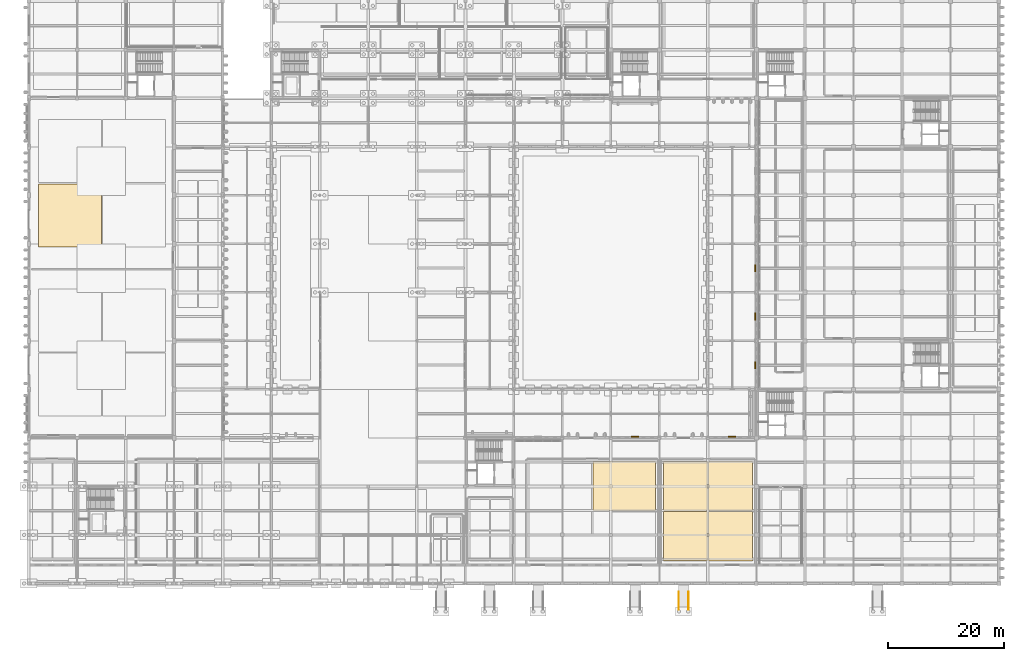
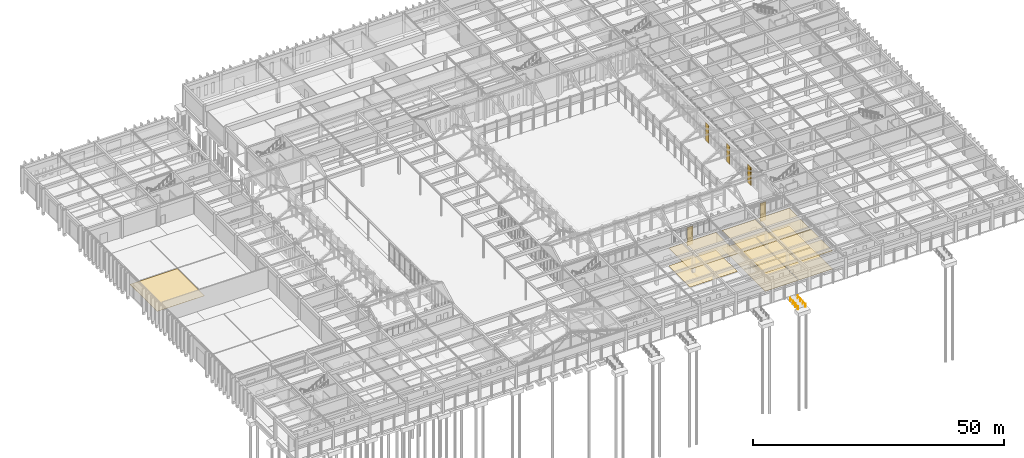
# One storey, part 134 of 143: 11 coverings, 5 shading devices, 2 railings.
"""IFC4 building model written with IfcOpenShell, lengths in metres."""

import ifcopenshell
import ifcopenshell.guid

model = None  # the IFC model being written
_history = None  # IfcOwnerHistory: only IFC2X3 demands one
_inside = {}  # id of a spatial element -> (the spatial element, [elements in it])
_under = {}  # id of a project, library or spatial element -> (it, [spatial elements below it])
_declared = {}  # id of a project -> (the project, [libraries it declares])
_typed = {}  # id of a type object -> (the type object, [elements of that type])
_made_of = {}  # id of a material, layer set ... -> (it, [elements and type objects made of it])


def new_model(schema):
    """Start an empty IFC model of exactly this schema.

    Asked for "IFC4X3", IfcOpenShell would pick the latest addendum, in which some entities
    have other attributes; the version numbers below select the first issue.
    IFC2X3 requires an IfcOwnerHistory on every rooted entity: one is made here for all.
    """
    global model, _history
    if schema == "IFC4X3":
        model = ifcopenshell.file(schema_version=(4, 3, 0, 0))
    else:
        model = ifcopenshell.file(schema=schema)
    _inside.clear()
    _under.clear()
    _declared.clear()
    _typed.clear()
    _made_of.clear()
    _history = None
    if model.schema == "IFC2X3":
        org = make("IfcOrganization", Name="unknown")
        user = make(
            "IfcPersonAndOrganization",
            ThePerson=make("IfcPerson", FamilyName="unknown"),
            TheOrganization=org,
        )
        app = make(
            "IfcApplication",
            ApplicationDeveloper=org,
            Version="unknown",
            ApplicationFullName="unknown",
            ApplicationIdentifier="unknown",
        )
        _history = make(
            "IfcOwnerHistory",
            OwningUser=user,
            OwningApplication=app,
            ChangeAction="ADDED",
            CreationDate=0,
        )
    return model


def make(cls, **values):
    """One entity of the class cls with the attributes given. An attribute that is None is left unset."""
    return model.create_entity(
        cls, **{name: value for name, value in values.items() if value is not None}
    )


def rooted(cls, **values):
    """An entity with a GlobalId (a new one), such as an element, a storey or a relation."""
    return make(cls, GlobalId=ifcopenshell.guid.new(), OwnerHistory=_history, **values)


def si_unit(unit_type, name, prefix=None):
    """IfcSIUnit, for example si_unit("LENGTHUNIT", "METRE", prefix="MILLI")."""
    return make("IfcSIUnit", UnitType=unit_type, Prefix=prefix, Name=name)


def assignment(units):
    """IfcUnitAssignment: the units of a project."""
    return None if units is None else make("IfcUnitAssignment", Units=units)


def point(xyz):
    """IfcCartesianPoint."""
    return None if xyz is None else make("IfcCartesianPoint", Coordinates=xyz)


def direction(xyz):
    """IfcDirection."""
    return None if xyz is None else make("IfcDirection", DirectionRatios=xyz)


def frame(location, z_axis=None, x_axis=None):
    """IfcAxis2Placement3D, a coordinate frame: its origin and axes. An axis left out is left unset."""
    return make(
        "IfcAxis2Placement3D",
        Location=point(location),
        Axis=direction(z_axis),
        RefDirection=direction(x_axis),
    )


def frame_2d(location, x_axis=None):
    """IfcAxis2Placement2D, a coordinate frame in the plane: its origin and x axis."""
    return make(
        "IfcAxis2Placement2D", Location=point(location), RefDirection=direction(x_axis)
    )


def origin():
    """The frame at (0, 0, 0) with its axes left unset."""
    return frame((0.0, 0.0, 0.0))


def origin_2d():
    """The frame at (0, 0) in the plane with its x axis left unset."""
    return frame_2d((0.0, 0.0))


def place(relative_to, where):
    """IfcLocalPlacement: puts the frame where relative to a parent placement (None: the world)."""
    return make(
        "IfcLocalPlacement", PlacementRelTo=relative_to, RelativePlacement=where
    )


def context(
    kind, dimensions, precision=None, world=None, true_north=None, identifier=None
):
    """IfcGeometricRepresentationContext, for example the 3D "Model" context."""
    return make(
        "IfcGeometricRepresentationContext",
        ContextIdentifier=identifier,
        ContextType=kind,
        CoordinateSpaceDimension=dimensions,
        Precision=precision,
        WorldCoordinateSystem=world,
        TrueNorth=true_north,
    )


def subcontext(parent, identifier, kind, view, scale=None):
    """IfcGeometricRepresentationSubContext, for example "Body" below "Model"."""
    return make(
        "IfcGeometricRepresentationSubContext",
        ContextIdentifier=identifier,
        ContextType=kind,
        ParentContext=parent,
        TargetScale=scale,
        TargetView=view,
    )


def project(units=None, contexts=None):
    """IfcProject with its units and contexts."""
    return rooted(
        "IfcProject",
        Name="project",
        RepresentationContexts=contexts,
        UnitsInContext=assignment(units),
    )


def spatial(cls, under=None, at=None, **own):
    """A site, building, storey or space (cls), placed at a placement, below another one or the project."""
    s = rooted(cls, ObjectPlacement=at, **own)
    if under is not None:
        _under.setdefault(under.id(), (under, []))[1].append(s)
    return s


def profile(cls, at=None, kind="AREA", **sizes):
    """A parametric profile (cls). Its sizes go by their IFC names, for example OverallWidth=200.0."""
    return make(cls, ProfileType=kind, Position=at, **sizes)


def rectangle(**sizes):
    """IfcRectangleProfileDef."""
    return profile("IfcRectangleProfileDef", **sizes)


def circle(**sizes):
    """IfcCircleProfileDef."""
    return profile("IfcCircleProfileDef", **sizes)


def extrude(swept, where, along, depth):
    """IfcExtrudedAreaSolid: the profile swept, set in the frame where, extruded along a direction by depth."""
    return make(
        "IfcExtrudedAreaSolid",
        SweptArea=swept,
        Position=where,
        ExtrudedDirection=direction(along),
        Depth=depth,
    )


def shape(context_of_items, identifier, shape_type, items):
    """IfcShapeRepresentation: the items that make up one representation, for example the "Body"."""
    return make(
        "IfcShapeRepresentation",
        ContextOfItems=context_of_items,
        RepresentationIdentifier=identifier,
        RepresentationType=shape_type,
        Items=items,
    )


def material(Name=None, Category=None):
    """IfcMaterial."""
    return make("IfcMaterial", Name=Name, Category=Category)


def layer(
    of_material, thickness, ventilated=None, Name=None, Category=None, Priority=None
):
    """IfcMaterialLayer: one layer of a wall or slab, of a material (None: an air gap)."""
    return make(
        "IfcMaterialLayer",
        Material=of_material,
        LayerThickness=thickness,
        IsVentilated=ventilated,
        Name=Name,
        Category=Category,
        Priority=Priority,
    )


def layer_set(layers, Name=None):
    """IfcMaterialLayerSet."""
    return make("IfcMaterialLayerSet", MaterialLayers=layers, LayerSetName=Name)


def made_of(thing, what):
    """Note that an element or type object is made of a material, layer set ...; save() writes the relation."""
    if what is not None:
        _made_of.setdefault(what.id(), (what, []))[1].append(thing)
    return thing


def type_object(cls, material=None, **own):
    """A type object (cls), such as IfcWallType, which elements share."""
    return made_of(rooted(cls, **own), material)


def element(
    cls,
    number,
    at=None,
    inside=None,
    cuts=None,
    type_object=None,
    material=None,
    context=None,
    identifier="Body",
    shape_type=None,
    held_by="IfcProductDefinitionShape",
    body=None,
    shapes=None,
    **own,
):
    """One element of the class cls, such as IfcWall. Its Tag is "e" and its number.

    at: its placement. inside: the storey or other place that contains it. cuts: it is an
    opening in that element (IfcRelVoidsElement). A single representation is given by context,
    identifier, shape_type and body (its items); several are given by shapes. held_by: the class
    of the entity that holds the representations. save() writes the other relations.
    """
    e = rooted(cls, Tag="e%d" % number, ObjectPlacement=at, **own)
    if body is not None:
        shapes = [shape(context, identifier, shape_type, body)]
    if shapes is not None:
        e.Representation = make(held_by, Representations=shapes)
    if inside is not None:
        _inside.setdefault(inside.id(), (inside, []))[1].append(e)
    if cuts is not None:
        rooted(
            "IfcRelVoidsElement", RelatingBuildingElement=cuts, RelatedOpeningElement=e
        )
    if type_object is not None:
        _typed.setdefault(type_object.id(), (type_object, []))[1].append(e)
    return made_of(e, material)


def aggregate(whole, parts):
    """IfcRelAggregates: a whole, such as a stair, and the parts it consists of."""
    return rooted("IfcRelAggregates", RelatingObject=whole, RelatedObjects=parts)


def save(model, path):
    """Write the relations noted so far, then the file.

    IfcRelAggregates (storeys below a building ...), IfcRelContainedInSpatialStructure (elements
    in a storey), IfcRelDefinesByType, IfcRelAssociatesMaterial and IfcRelDeclares: one each for
    every whole, place, type object, material and project.
    """
    for whole, parts in _under.values():
        aggregate(whole, parts)
    for where, things in _inside.values():
        rooted(
            "IfcRelContainedInSpatialStructure",
            RelatedElements=things,
            RelatingStructure=where,
        )
    for kind, things in _typed.values():
        rooted("IfcRelDefinesByType", RelatedObjects=things, RelatingType=kind)
    for what, things in _made_of.values():
        rooted("IfcRelAssociatesMaterial", RelatedObjects=things, RelatingMaterial=what)
    for by, libraries in _declared.values():
        rooted("IfcRelDeclares", RelatingContext=by, RelatedDefinitions=libraries)
    model.write(path)


model = new_model("IFC4")

# Units and contexts
model_context = context("Model", 3, precision=1e-05, world=origin(), true_north=direction((0.0, 1.0)))
body_context = subcontext(model_context, "Body", "Model", "MODEL_VIEW")
ifc_project = project(units=[si_unit("LENGTHUNIT", "METRE"), si_unit("AREAUNIT", "SQUARE_METRE"), si_unit("VOLUMEUNIT", "CUBIC_METRE"), si_unit("PLANEANGLEUNIT", "RADIAN"), si_unit("MASSUNIT", "GRAM", prefix="KILO")], contexts=[model_context])

# Site, building, storey
site_placement = place(None, origin())
site = spatial("IfcSite", under=ifc_project, at=site_placement, CompositionType="ELEMENT")
building_placement = place(site_placement, origin())
building = spatial("IfcBuilding", under=site, at=building_placement, Name="Kveldsbrygga Polytechnic", CompositionType="ELEMENT")
storey_placement = place(building_placement, origin())
storey = spatial("IfcBuildingStorey", under=building, at=storey_placement, Name="L00", CompositionType="ELEMENT", Elevation=0.0)

# Coverings
ifc_material_1 = material(Name="Acoustic mineral baffle ceiling")
ifc_layer_1 = layer(ifc_material_1, 0.030029296875)
ifc_layer_set_1 = layer_set([ifc_layer_1], Name="Acoustic mineral baffle ceiling")
covering_type_1 = type_object("IfcCoveringType", Name="COV-CEIL-AC30", PredefinedType="CEILING", material=ifc_layer_set_1)
for number, where, z_axis, x_axis, name in (
    (1, (113.71240234375, 8.16259765625, 4.43017578125), (0.0, 0.0, 1.0), (1.0, 0.0, 0.0), "Acoustic Ceiling SP-L00-KITCH-WS"),
    (2, (113.71240234375, 16.887451171875, 4.330078125), (0.0, 0.0, 1.0), (1.0, 0.0, 0.0), "Acoustic Ceiling SP-L00-KITCH-WN"),
    (3, (121.53759765625, 8.16259765625, 4.43017578125), (0.0, 0.0, 1.0), (1.0, 0.0, 0.0), "Acoustic Ceiling SP-L00-KITCH-ES"),
    (4, (121.53759765625, 16.887451171875, 4.330078125), (0.0, 0.0, 1.0), (1.0, 0.0, 0.0), "Acoustic Ceiling SP-L00-KITCH-EN"),
):
    element("IfcCovering", number, at=place(storey_placement, frame(where, z_axis=z_axis, x_axis=x_axis)), inside=storey, type_object=covering_type_1, Name=name, PredefinedType="CEILING", context=body_context, shape_type="SweptSolid", body=[
        extrude(rectangle(XDim=7.625, YDim=8.52490234375, at=origin_2d()), origin(), (0.0, 0.0, 1.0), 0.030029296875),
    ])
ifc_material_2 = material(Name="Acoustic oak timber slat ceiling", Category="wood")
ifc_layer_2 = layer(ifc_material_2, 0.0400390625)
ifc_layer_set_2 = layer_set([ifc_layer_2], Name="Acoustic oak timber slat ceiling")
covering_type_2 = type_object("IfcCoveringType", Name="COV-CEIL-WD40", PredefinedType="CEILING", material=ifc_layer_set_2)
covering_1_placement = place(storey_placement, frame((103.112548828125, 16.887451171875, 4.320068359375), z_axis=(0.0, 0.0, 1.0), x_axis=(1.0, 0.0, 0.0)))
element("IfcCovering", 5, at=covering_1_placement, inside=storey, type_object=covering_type_2, Name="Acoustic Ceiling SP-L00-REFEC-EN", PredefinedType="CEILING", context=body_context, shape_type="SweptSolid", body=[
    extrude(rectangle(XDim=10.875, YDim=8.52490234375, at=origin_2d()), origin(), (0.0, 0.0, 1.0), 0.0400390625),
])
ifc_material_3 = material(Name="Heavy-duty quartz-filled epoxy resin flooring")
ifc_layer_3 = layer(ifc_material_3, 0.014892578125)
ifc_layer_set_3 = layer_set([ifc_layer_3], Name="Heavy-duty quartz-filled epoxy resin flooring")
covering_type_3 = type_object("IfcCoveringType", Name="COV-FLR-EPX15", PredefinedType="FLOORING", material=ifc_layer_set_3)
covering_2_placement = place(storey_placement, frame((7.14990234375, 63.75, 0.0), z_axis=(0.0, 0.0, 1.0), x_axis=(1.0, 0.0, 0.0)))
element("IfcCovering", 6, at=covering_2_placement, inside=storey, type_object=covering_type_3, Name="Room Flooring SP-L00-WK2-WS", PredefinedType="FLOORING", context=body_context, shape_type="SweptSolid", body=[
    extrude(rectangle(XDim=10.89990234375, YDim=10.89990234375, at=origin_2d()), origin(), (0.0, 0.0, 1.0), 0.014892578125),
])
ifc_material_4 = material(Name="Acoustic oak timber flooring", Category="wood")
ifc_layer_4 = layer(ifc_material_4, 0.02197265625)
ifc_layer_set_4 = layer_set([ifc_layer_4], Name="Acoustic oak timber flooring")
covering_type_4 = type_object("IfcCoveringType", Name="COV-FLR-OAK22", PredefinedType="FLOORING", material=ifc_layer_set_4)
covering_3_placement = place(storey_placement, frame((103.112548828125, 16.887451171875, 0.0), z_axis=(0.0, 0.0, 1.0), x_axis=(1.0, 0.0, 0.0)))
element("IfcCovering", 7, at=covering_3_placement, inside=storey, type_object=covering_type_4, Name="Room Flooring SP-L00-REFEC-EN", PredefinedType="FLOORING", context=body_context, shape_type="SweptSolid", body=[
    extrude(rectangle(XDim=10.875, YDim=8.52490234375, at=origin_2d()), origin(), (0.0, 0.0, 1.0), 0.02197265625),
])
for number, where, z_axis, x_axis, name in (
    (8, (113.71240234375, 8.16259765625, 0.0), (0.0, 0.0, 1.0), (1.0, 0.0, 0.0), "Room Flooring SP-L00-KITCH-WS"),
    (9, (113.71240234375, 16.887451171875, 0.0), (0.0, 0.0, 1.0), (1.0, 0.0, 0.0), "Room Flooring SP-L00-KITCH-WN"),
    (10, (121.53759765625, 8.16259765625, 0.0), (0.0, 0.0, 1.0), (1.0, 0.0, 0.0), "Room Flooring SP-L00-KITCH-ES"),
    (11, (121.53759765625, 16.887451171875, 0.0), (0.0, 0.0, 1.0), (1.0, 0.0, 0.0), "Room Flooring SP-L00-KITCH-EN"),
):
    element("IfcCovering", number, at=place(storey_placement, frame(where, z_axis=z_axis, x_axis=x_axis)), inside=storey, type_object=covering_type_4, Name=name, PredefinedType="FLOORING", context=body_context, shape_type="SweptSolid", body=[
        extrude(rectangle(XDim=7.625, YDim=8.52490234375, at=origin_2d()), origin(), (0.0, 0.0, 1.0), 0.02197265625),
    ])

# Railings
ifc_material_5 = material(Name="Steel S355", Category="steel")
railing_type = type_object("IfcRailingType", Name="GRD-EXT-120", PredefinedType="GUARDRAIL", material=ifc_material_5)
for number, where, name in (
    (12, (112.550048828125, -4.5, -0.300048828125), "Ramp Handrail RMP-05-L"),
    (13, (114.25, -4.5, -0.300048828125), "Ramp Handrail RMP-05-R"),
):
    element("IfcRailing", number, at=place(storey_placement, frame(where)), inside=storey, type_object=railing_type, Name=name, PredefinedType="GUARDRAIL", context=body_context, shape_type="SweptSolid", body=[
        extrude(circle(Radius=0.02392578125, at=origin_2d()), frame((0.0, 0.0, 0.8759765625), z_axis=(0.0, 0.997789749648, 0.066450097791), x_axis=(-1.0, 0.0, 0.0)), (0.0, 0.0, 1.0), 3.056884765625),
        extrude(circle(Radius=0.02099609375, at=origin_2d()), origin(), (0.0, 0.0, 1.0), 0.847900390625),
        extrude(circle(Radius=0.02099609375, at=origin_2d()), frame((0.0, 1.0166015625, 0.067626953125)), (0.0, 0.0, 1.0), 0.847900390625),
        extrude(circle(Radius=0.02099609375, at=origin_2d()), frame((0.0, 2.033447265625, 0.135498046875)), (0.0, 0.0, 1.0), 0.847900390625),
        extrude(circle(Radius=0.02099609375, at=origin_2d()), frame((0.0, 3.050048828125, 0.203125)), (0.0, 0.0, 1.0), 0.847900390625),
    ])

# Shading devices
ifc_material_6 = material(Name="Fired clay brick masonry M10", Category="masonry")
ifc_layer_5 = layer(ifc_material_6, 0.139892578125)
ifc_layer_set_5 = layer_set([ifc_layer_5], Name="Fired clay brick masonry M10")
shading_device_type = type_object("IfcShadingDeviceType", Name="SCR-BRICK-1400", PredefinedType="SHUTTER", material=ifc_layer_set_5)
for number, where, z_axis, x_axis, name in (
    (14, (104.9951171875, 25.3798828125, 0.0), (0.0, 0.0, 1.0), (1.0, 0.0, 0.0), "Perforated Brick Screen Hood L00-X-12-03"),
    (15, (121.757568359375, 25.3798828125, 0.0), (0.0, 0.0, 1.0), (1.0, 0.0, 0.0), "Perforated Brick Screen Hood L00-X-14-03"),
    (16, (125.820068359375, 37.79248046875, 0.0), (0.0, 0.0, 1.0), (0.0, 1.0, 0.0), "Perforated Brick Screen Hood L00-Y-15-04"),
    (17, (125.820068359375, 46.20751953125, 0.0), (0.0, 0.0, 1.0), (0.0, 1.0, 0.0), "Perforated Brick Screen Hood L00-Y-15-05"),
    (18, (125.820068359375, 54.592529296875, 0.0), (0.0, 0.0, 1.0), (0.0, 1.0, 0.0), "Perforated Brick Screen Hood L00-Y-15-06"),
):
    element("IfcShadingDevice", number, at=place(storey_placement, frame(where, z_axis=z_axis, x_axis=x_axis)), inside=storey, type_object=shading_device_type, Name=name, PredefinedType="SHUTTER", context=body_context, shape_type="SweptSolid", body=[
        extrude(rectangle(XDim=1.260009765625, YDim=0.139892578125, at=origin_2d()), origin(), (0.0, 0.0, 1.0), 4.389892578125),
    ])

save(model, "model.ifc")
